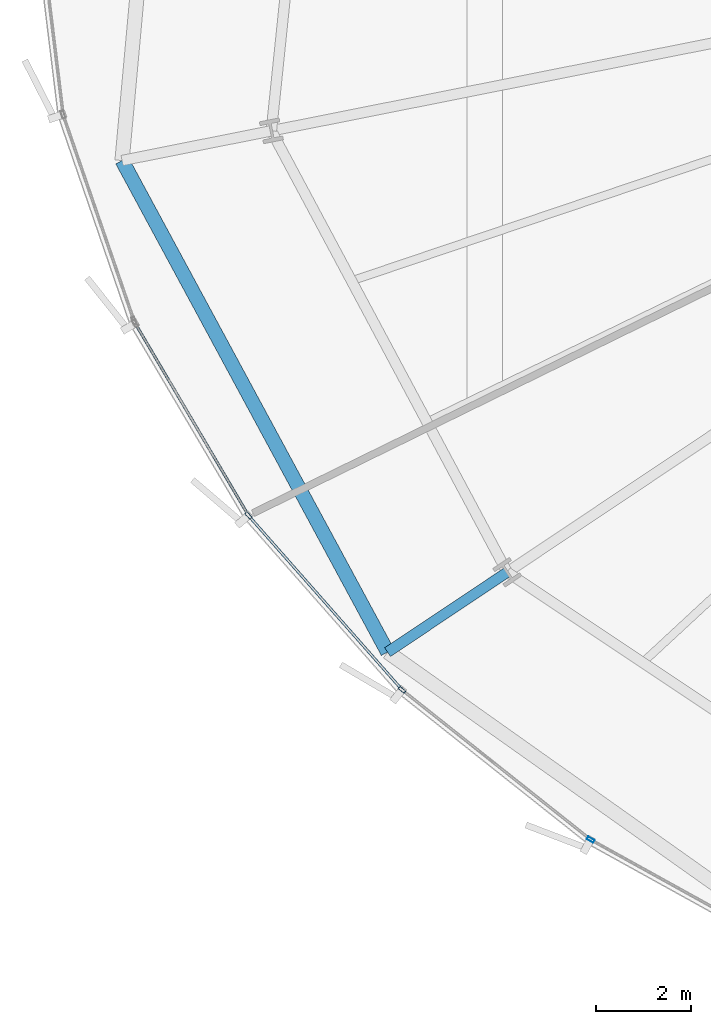
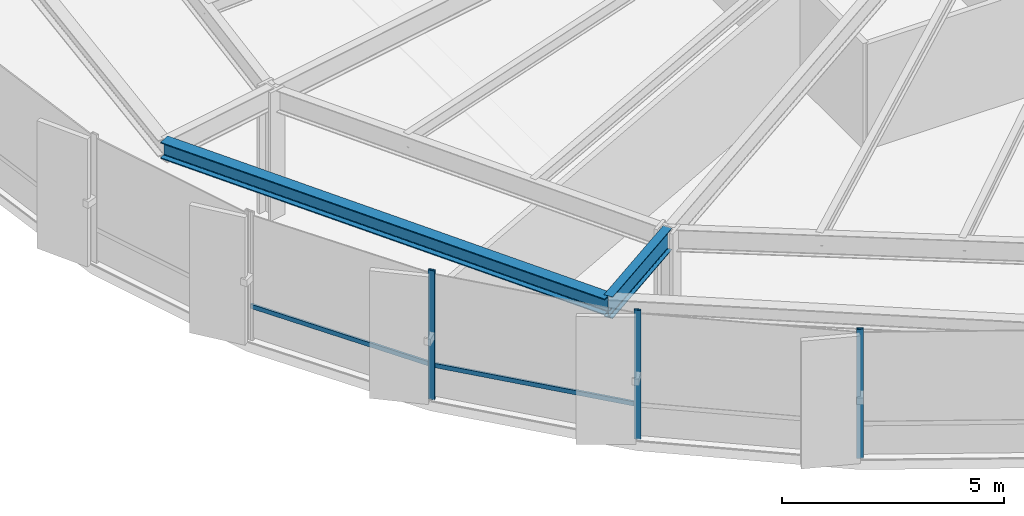
# One storey, part 2 of 39: 5 members, 2 beams, 1 element without a shape of its own.
"""IFC4 building model written with IfcOpenShell, lengths in metres."""

import ifcopenshell
import ifcopenshell.guid

model = None  # the IFC model being written
_history = None  # IfcOwnerHistory: only IFC2X3 demands one
_inside = {}  # id of a spatial element -> (the spatial element, [elements in it])
_under = {}  # id of a project, library or spatial element -> (it, [spatial elements below it])
_declared = {}  # id of a project -> (the project, [libraries it declares])
_typed = {}  # id of a type object -> (the type object, [elements of that type])
_made_of = {}  # id of a material, layer set ... -> (it, [elements and type objects made of it])


def new_model(schema):
    """Start an empty IFC model of exactly this schema.

    Asked for "IFC4X3", IfcOpenShell would pick the latest addendum, in which some entities
    have other attributes; the version numbers below select the first issue.
    IFC2X3 requires an IfcOwnerHistory on every rooted entity: one is made here for all.
    """
    global model, _history
    if schema == "IFC4X3":
        model = ifcopenshell.file(schema_version=(4, 3, 0, 0))
    else:
        model = ifcopenshell.file(schema=schema)
    _inside.clear()
    _under.clear()
    _declared.clear()
    _typed.clear()
    _made_of.clear()
    _history = None
    if model.schema == "IFC2X3":
        org = make("IfcOrganization", Name="unknown")
        user = make(
            "IfcPersonAndOrganization",
            ThePerson=make("IfcPerson", FamilyName="unknown"),
            TheOrganization=org,
        )
        app = make(
            "IfcApplication",
            ApplicationDeveloper=org,
            Version="unknown",
            ApplicationFullName="unknown",
            ApplicationIdentifier="unknown",
        )
        _history = make(
            "IfcOwnerHistory",
            OwningUser=user,
            OwningApplication=app,
            ChangeAction="ADDED",
            CreationDate=0,
        )
    return model


def make(cls, **values):
    """One entity of the class cls with the attributes given. An attribute that is None is left unset."""
    return model.create_entity(
        cls, **{name: value for name, value in values.items() if value is not None}
    )


def rooted(cls, **values):
    """An entity with a GlobalId (a new one), such as an element, a storey or a relation."""
    return make(cls, GlobalId=ifcopenshell.guid.new(), OwnerHistory=_history, **values)


def si_unit(unit_type, name, prefix=None):
    """IfcSIUnit, for example si_unit("LENGTHUNIT", "METRE", prefix="MILLI")."""
    return make("IfcSIUnit", UnitType=unit_type, Prefix=prefix, Name=name)


def assignment(units):
    """IfcUnitAssignment: the units of a project."""
    return None if units is None else make("IfcUnitAssignment", Units=units)


def point(xyz):
    """IfcCartesianPoint."""
    return None if xyz is None else make("IfcCartesianPoint", Coordinates=xyz)


def direction(xyz):
    """IfcDirection."""
    return None if xyz is None else make("IfcDirection", DirectionRatios=xyz)


def frame(location, z_axis=None, x_axis=None):
    """IfcAxis2Placement3D, a coordinate frame: its origin and axes. An axis left out is left unset."""
    return make(
        "IfcAxis2Placement3D",
        Location=point(location),
        Axis=direction(z_axis),
        RefDirection=direction(x_axis),
    )


def frame_2d(location, x_axis=None):
    """IfcAxis2Placement2D, a coordinate frame in the plane: its origin and x axis."""
    return make(
        "IfcAxis2Placement2D", Location=point(location), RefDirection=direction(x_axis)
    )


def origin():
    """The frame at (0, 0, 0) with its axes left unset."""
    return frame((0.0, 0.0, 0.0))


def origin_2d():
    """The frame at (0, 0) in the plane with its x axis left unset."""
    return frame_2d((0.0, 0.0))


def place(relative_to, where):
    """IfcLocalPlacement: puts the frame where relative to a parent placement (None: the world)."""
    return make(
        "IfcLocalPlacement", PlacementRelTo=relative_to, RelativePlacement=where
    )


def context(
    kind, dimensions, precision=None, world=None, true_north=None, identifier=None
):
    """IfcGeometricRepresentationContext, for example the 3D "Model" context."""
    return make(
        "IfcGeometricRepresentationContext",
        ContextIdentifier=identifier,
        ContextType=kind,
        CoordinateSpaceDimension=dimensions,
        Precision=precision,
        WorldCoordinateSystem=world,
        TrueNorth=true_north,
    )


def subcontext(parent, identifier, kind, view, scale=None):
    """IfcGeometricRepresentationSubContext, for example "Body" below "Model"."""
    return make(
        "IfcGeometricRepresentationSubContext",
        ContextIdentifier=identifier,
        ContextType=kind,
        ParentContext=parent,
        TargetScale=scale,
        TargetView=view,
    )


def project(units=None, contexts=None):
    """IfcProject with its units and contexts."""
    return rooted(
        "IfcProject",
        Name="project",
        RepresentationContexts=contexts,
        UnitsInContext=assignment(units),
    )


def spatial(cls, under=None, at=None, **own):
    """A site, building, storey or space (cls), placed at a placement, below another one or the project."""
    s = rooted(cls, ObjectPlacement=at, **own)
    if under is not None:
        _under.setdefault(under.id(), (under, []))[1].append(s)
    return s


def profile(cls, at=None, kind="AREA", **sizes):
    """A parametric profile (cls). Its sizes go by their IFC names, for example OverallWidth=200.0."""
    return make(cls, ProfileType=kind, Position=at, **sizes)


def hollow_rectangle(**sizes):
    """IfcRectangleHollowProfileDef."""
    return profile("IfcRectangleHollowProfileDef", **sizes)


def i_section(**sizes):
    """IfcIShapeProfileDef."""
    return profile("IfcIShapeProfileDef", **sizes)


def extrude(swept, where, along, depth):
    """IfcExtrudedAreaSolid: the profile swept, set in the frame where, extruded along a direction by depth."""
    return make(
        "IfcExtrudedAreaSolid",
        SweptArea=swept,
        Position=where,
        ExtrudedDirection=direction(along),
        Depth=depth,
    )


def shape(context_of_items, identifier, shape_type, items):
    """IfcShapeRepresentation: the items that make up one representation, for example the "Body"."""
    return make(
        "IfcShapeRepresentation",
        ContextOfItems=context_of_items,
        RepresentationIdentifier=identifier,
        RepresentationType=shape_type,
        Items=items,
    )


def source(mapping_origin, context_of_items, identifier, shape_type, items):
    """IfcRepresentationMap: a shape defined once, which mapped items show again and again."""
    return make(
        "IfcRepresentationMap",
        MappingOrigin=mapping_origin,
        MappedRepresentation=shape(context_of_items, identifier, shape_type, items),
    )


def transform(
    local_origin,
    x_axis=None,
    y_axis=None,
    z_axis=None,
    scale=None,
    scale2=None,
    scale3=None,
    uniform=True,
):
    """IfcCartesianTransformationOperator3D, or its non-uniform kind. x_axis, y_axis, z_axis: its Axis1, 2, 3."""
    if uniform:
        return make(
            "IfcCartesianTransformationOperator3D",
            Axis1=direction(x_axis),
            Axis2=direction(y_axis),
            LocalOrigin=point(local_origin),
            Scale=scale,
            Axis3=direction(z_axis),
        )
    return make(
        "IfcCartesianTransformationOperator3DnonUniform",
        Axis1=direction(x_axis),
        Axis2=direction(y_axis),
        LocalOrigin=point(local_origin),
        Scale=scale,
        Axis3=direction(z_axis),
        Scale2=scale2,
        Scale3=scale3,
    )


def mapped(mapping_source, mapping_target):
    """IfcMappedItem: shows the shape of a source again, moved by a transform."""
    return make(
        "IfcMappedItem", MappingSource=mapping_source, MappingTarget=mapping_target
    )


def material(Name=None, Category=None):
    """IfcMaterial."""
    return make("IfcMaterial", Name=Name, Category=Category)


def layer(
    of_material, thickness, ventilated=None, Name=None, Category=None, Priority=None
):
    """IfcMaterialLayer: one layer of a wall or slab, of a material (None: an air gap)."""
    return make(
        "IfcMaterialLayer",
        Material=of_material,
        LayerThickness=thickness,
        IsVentilated=ventilated,
        Name=Name,
        Category=Category,
        Priority=Priority,
    )


def layer_set(layers, Name=None):
    """IfcMaterialLayerSet."""
    return make("IfcMaterialLayerSet", MaterialLayers=layers, LayerSetName=Name)


def material_profile(
    of_material, cross_section, Name=None, Category=None, Priority=None
):
    """IfcMaterialProfile: a cross section and its material."""
    return make(
        "IfcMaterialProfile",
        Name=Name,
        Material=of_material,
        Profile=cross_section,
        Priority=Priority,
        Category=Category,
    )


def profile_set(profiles, Name=None, composite=None):
    """IfcMaterialProfileSet."""
    return make(
        "IfcMaterialProfileSet",
        Name=Name,
        MaterialProfiles=profiles,
        CompositeProfile=composite,
    )


def made_of(thing, what):
    """Note that an element or type object is made of a material, layer set ...; save() writes the relation."""
    if what is not None:
        _made_of.setdefault(what.id(), (what, []))[1].append(thing)
    return thing


def type_object(cls, material=None, **own):
    """A type object (cls), such as IfcWallType, which elements share."""
    return made_of(rooted(cls, **own), material)


def element(
    cls,
    number,
    at=None,
    inside=None,
    cuts=None,
    type_object=None,
    material=None,
    context=None,
    identifier="Body",
    shape_type=None,
    held_by="IfcProductDefinitionShape",
    body=None,
    shapes=None,
    **own,
):
    """One element of the class cls, such as IfcWall. Its Tag is "e" and its number.

    at: its placement. inside: the storey or other place that contains it. cuts: it is an
    opening in that element (IfcRelVoidsElement). A single representation is given by context,
    identifier, shape_type and body (its items); several are given by shapes. held_by: the class
    of the entity that holds the representations. save() writes the other relations.
    """
    e = rooted(cls, Tag="e%d" % number, ObjectPlacement=at, **own)
    if body is not None:
        shapes = [shape(context, identifier, shape_type, body)]
    if shapes is not None:
        e.Representation = make(held_by, Representations=shapes)
    if inside is not None:
        _inside.setdefault(inside.id(), (inside, []))[1].append(e)
    if cuts is not None:
        rooted(
            "IfcRelVoidsElement", RelatingBuildingElement=cuts, RelatedOpeningElement=e
        )
    if type_object is not None:
        _typed.setdefault(type_object.id(), (type_object, []))[1].append(e)
    return made_of(e, material)


def aggregate(whole, parts):
    """IfcRelAggregates: a whole, such as a stair, and the parts it consists of."""
    return rooted("IfcRelAggregates", RelatingObject=whole, RelatedObjects=parts)


def save(model, path):
    """Write the relations noted so far, then the file.

    IfcRelAggregates (storeys below a building ...), IfcRelContainedInSpatialStructure (elements
    in a storey), IfcRelDefinesByType, IfcRelAssociatesMaterial and IfcRelDeclares: one each for
    every whole, place, type object, material and project.
    """
    for whole, parts in _under.values():
        aggregate(whole, parts)
    for where, things in _inside.values():
        rooted(
            "IfcRelContainedInSpatialStructure",
            RelatedElements=things,
            RelatingStructure=where,
        )
    for kind, things in _typed.values():
        rooted("IfcRelDefinesByType", RelatedObjects=things, RelatingType=kind)
    for what, things in _made_of.values():
        rooted("IfcRelAssociatesMaterial", RelatedObjects=things, RelatingMaterial=what)
    for by, libraries in _declared.values():
        rooted("IfcRelDeclares", RelatingContext=by, RelatedDefinitions=libraries)
    model.write(path)


model = new_model("IFC4")

# Units and contexts
model_context = context("Model", 3, precision=1e-05, world=origin(), true_north=direction((0.0, 1.0)))
body_context = subcontext(model_context, "Body", "Model", "MODEL_VIEW")
ifc_project = project(units=[si_unit("LENGTHUNIT", "METRE"), si_unit("AREAUNIT", "SQUARE_METRE"), si_unit("VOLUMEUNIT", "CUBIC_METRE"), si_unit("PLANEANGLEUNIT", "RADIAN"), si_unit("MASSUNIT", "GRAM", prefix="KILO"), si_unit("THERMODYNAMICTEMPERATUREUNIT", "KELVIN")], contexts=[model_context])

# Site, building, storey
site_placement = place(None, origin())
site = spatial("IfcSite", under=ifc_project, at=site_placement, CompositionType="ELEMENT")
building_placement = place(site_placement, origin())
building = spatial("IfcBuilding", under=site, at=building_placement, Name="Kethvar Cultural Tower", CompositionType="ELEMENT")
storey_placement = place(building_placement, frame((0.0, 0.0, 33.39990234375)))
storey = spatial("IfcBuildingStorey", under=building, at=storey_placement, Name="L07", CompositionType="ELEMENT", Elevation=33.39990234375)

# Beams
ifc_material_1 = material(Name="Steel S355J2", Category="steel")
ifc_material_profile_1 = material_profile(ifc_material_1, i_section(OverallWidth=0.219970703125, OverallDepth=0.60009765625, WebThickness=0.011962890625, FlangeThickness=0.01904296875, FilletRadius=0.02392578125, at=origin_2d()), Name="Steel S355J2 — IPE600")
ifc_profile_set_1 = profile_set([ifc_material_profile_1], Name="Steel S355J2 — IPE600")
beam_type_1 = type_object("IfcBeamType", Name="BM-IPE600", PredefinedType="BEAM", material=ifc_profile_set_1)
shared_shape_1 = source(origin(), body_context, "Body", "SweptSolid", [
    extrude(i_section(OverallWidth=0.219970703125, OverallDepth=0.60009765625, WebThickness=0.011962890625, FlangeThickness=0.01904296875, FilletRadius=0.02392578125, at=origin_2d()), origin(), (0.0, 0.0, 1.0), 3.0234375),
])
beam_1_placement = place(storey_placement, frame((24.9248046875, 13.183349609375, 3.248046875), z_axis=(-0.83147839425, -0.555557089681, 0.0), x_axis=(0.555557089681, -0.83147839425, 0.0)))
element("IfcBeam", 1, at=beam_1_placement, inside=storey, type_object=beam_type_1, Name="L07 Perimeter Cantilever Beam RC-10", PredefinedType="BEAM", context=body_context, shape_type="MappedRepresentation", body=[
    mapped(shared_shape_1, transform((0.0, 0.0, 0.0), scale=1.0)),
])
ifc_material_profile_2 = material_profile(ifc_material_1, i_section(OverallWidth=0.300048828125, OverallDepth=0.449951171875, WebThickness=0.013916015625, FlangeThickness=0.02587890625, FilletRadius=0.027099609375, at=origin_2d()), Name="Steel S355J2 — HEB450")
ifc_profile_set_2 = profile_set([ifc_material_profile_2], Name="Steel S355J2 — HEB450")
beam_type_2 = type_object("IfcBeamType", Name="BM-SP450", PredefinedType="SPANDREL", material=ifc_profile_set_2)
shared_shape_2 = source(origin(), body_context, "Body", "SweptSolid", [
    extrude(i_section(OverallWidth=0.300048828125, OverallDepth=0.449951171875, WebThickness=0.013916015625, FlangeThickness=0.02587890625, FilletRadius=0.027099609375, at=origin_2d()), origin(), (0.0, 0.0, 1.0), 11.746337890625),
])
beam_2_placement = place(storey_placement, frame((16.827392578125, 21.838134765625, 3.322998046875), z_axis=(0.475338788847, -0.879802839173, 0.0), x_axis=(0.879802839173, 0.475338788847, 0.0)))
element("IfcBeam", 2, at=beam_2_placement, inside=storey, type_object=beam_type_2, Name="L07 Perimeter Spandrel Beam SP-09", PredefinedType="SPANDREL", context=body_context, shape_type="MappedRepresentation", body=[
    mapped(shared_shape_2, transform((0.0, 0.0, 0.0), scale=1.0)),
])

# Curtain wall, members
ifc_material_2 = material(Name="Aluminium 6063-T6", Category="aluminium")
ifc_layer = layer(ifc_material_2, 0.179931640625, Name="Aluminium 6063-T6", Category="aluminium")
ifc_layer_set = layer_set([ifc_layer], Name="Aluminium 6063-T6 (180 mm)")
curtain_wall_type = type_object("IfcCurtainWallType", Name="CW-SYS-02-Z1", PredefinedType="NOTDEFINED", material=ifc_layer_set)
curtain_wall_placement = place(storey_placement, origin())
curtain_wall = element("IfcCurtainWall", 3, at=curtain_wall_placement, inside=storey, type_object=curtain_wall_type, Name="L07 Curtain Wall Run 05", PredefinedType="NOTDEFINED")
ifc_material_profile_3 = material_profile(ifc_material_2, hollow_rectangle(XDim=0.06494140625, YDim=0.159912109375, WallThickness=0.0048828125, at=origin_2d()), Name="Aluminium 6063-T6 — RHS160x65x5")
ifc_profile_set_3 = profile_set([ifc_material_profile_3], Name="Aluminium 6063-T6 — RHS160x65x5")
member_type_1 = type_object("IfcMemberType", Name="CW-SYS-02-Z1-MUL", PredefinedType="MULLION", material=ifc_profile_set_3)
shared_shape_3 = source(origin(), body_context, "Body", "SweptSolid", [
    extrude(hollow_rectangle(XDim=0.06494140625, YDim=0.159912109375, WallThickness=0.0048828125, at=origin_2d()), origin(), (0.0, 0.0, 1.0), 3.550048828125),
])
member_1_placement = place(storey_placement, frame((19.482666015625, 14.376708984375, 0.0), z_axis=(0.0, 0.0, 1.0), x_axis=(0.750076442394, 0.661351140141, 0.0)))
member_1 = element("IfcMember", 4, at=member_1_placement, type_object=member_type_1, Name="CW-L07-R05 Mullion 2", PredefinedType="MULLION", context=body_context, shape_type="MappedRepresentation", body=[
    mapped(shared_shape_3, transform((0.0, 0.0, 0.0), scale=1.0)),
])
member_2_placement = place(storey_placement, frame((22.713623046875, 10.708984375, 0.0), z_axis=(0.0, 0.0, 1.0), x_axis=(0.621735760636, 0.783227070489, 0.0)))
member_2 = element("IfcMember", 5, at=member_2_placement, type_object=member_type_1, Name="CW-L07-R05 Mullion 3", PredefinedType="MULLION", context=body_context, shape_type="MappedRepresentation", body=[
    mapped(shared_shape_3, transform((0.0, 0.0, 0.0), scale=1.0)),
])
member_3_placement = place(storey_placement, frame((26.677734375, 7.560302734375, 0.0), z_axis=(0.0, 0.0, 1.0), x_axis=(0.484153089052, 0.874983306333, 0.0)))
member_3 = element("IfcMember", 6, at=member_3_placement, type_object=member_type_1, Name="CW-L07-R05 Mullion 4", PredefinedType="MULLION", context=body_context, shape_type="MappedRepresentation", body=[
    mapped(shared_shape_3, transform((0.0, 0.0, 0.0), scale=1.0)),
])
ifc_material_profile_4 = material_profile(ifc_material_2, hollow_rectangle(XDim=0.054931640625, YDim=0.1201171875, WallThickness=0.00390625, at=origin_2d()), Name="Aluminium 6063-T6 — RHS120x55x4")
ifc_profile_set_4 = profile_set([ifc_material_profile_4], Name="Aluminium 6063-T6 — RHS120x55x4")
member_type_2 = type_object("IfcMemberType", Name="CW-SYS-02-Z1-TRN", PredefinedType="USERDEFINED", material=ifc_profile_set_4)
shared_shape_4 = source(origin(), body_context, "Body", "SweptSolid", [
    extrude(hollow_rectangle(XDim=0.054931640625, YDim=0.1201171875, WallThickness=0.00390625, at=origin_2d()), origin(), (0.0, 0.0, 1.0), 4.8154296875),
])
member_4_placement = place(storey_placement, frame((19.513671875, 14.341552734375, 0.9501953125), z_axis=(0.661324785817, -0.750099678485, 0.0), x_axis=(0.750099678485, 0.661324785817, 0.0)))
member_4 = element("IfcMember", 7, at=member_4_placement, type_object=member_type_2, Name="CW-L07-R05 Transom 2", ObjectType="TRANSOM", PredefinedType="USERDEFINED", context=body_context, shape_type="MappedRepresentation", body=[
    mapped(shared_shape_4, transform((0.0, 0.0, 0.0), scale=1.0)),
])
shared_shape_5 = source(origin(), body_context, "Body", "SweptSolid", [
    extrude(hollow_rectangle(XDim=0.054931640625, YDim=0.1201171875, WallThickness=0.00390625, at=origin_2d()), origin(), (0.0, 0.0, 1.0), 4.65771484375),
])
member_5_placement = place(storey_placement, frame((17.10595703125, 18.410400390625, 0.9501953125), z_axis=(0.508013937839, -0.861348848587, 0.0), x_axis=(0.861348848587, 0.508013937839, 0.0)))
member_5 = element("IfcMember", 8, at=member_5_placement, type_object=member_type_2, Name="CW-L07-R05 Transom 1", ObjectType="TRANSOM", PredefinedType="USERDEFINED", context=body_context, shape_type="MappedRepresentation", body=[
    mapped(shared_shape_5, transform((0.0, 0.0, 0.0), scale=1.0)),
])
aggregate(curtain_wall, [member_1, member_2, member_3, member_5, member_4])

save(model, "model.ifc")
